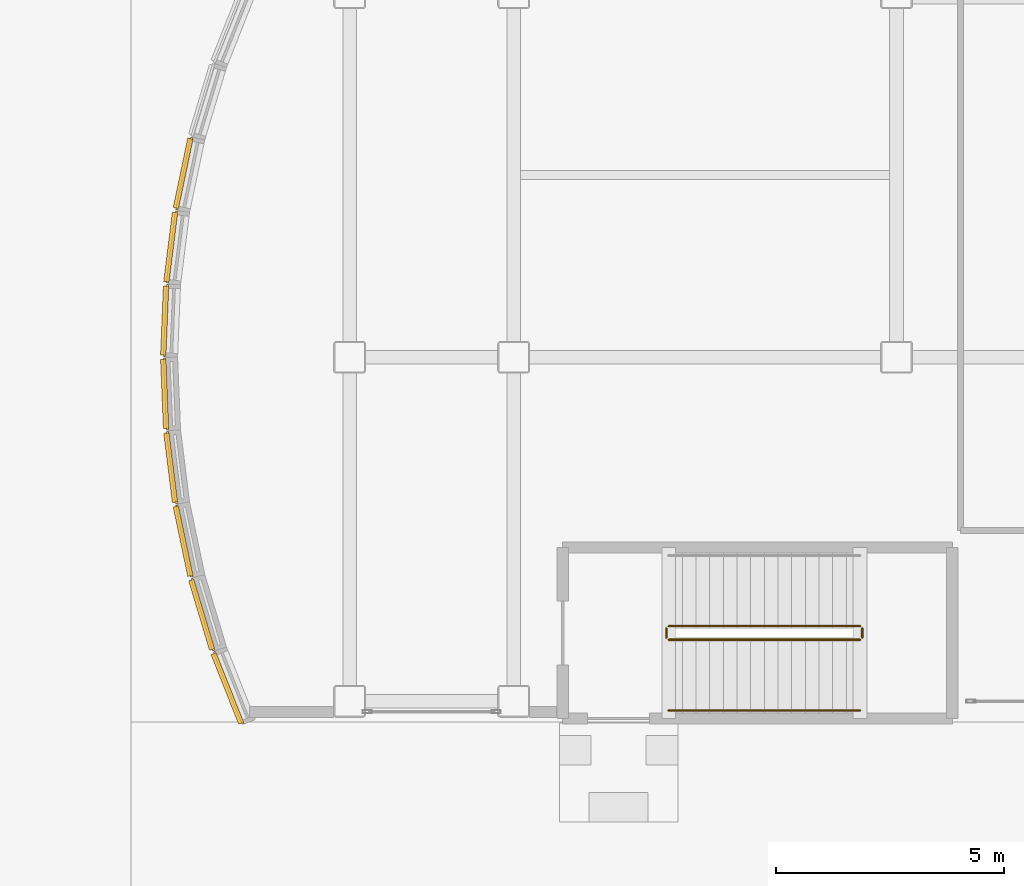
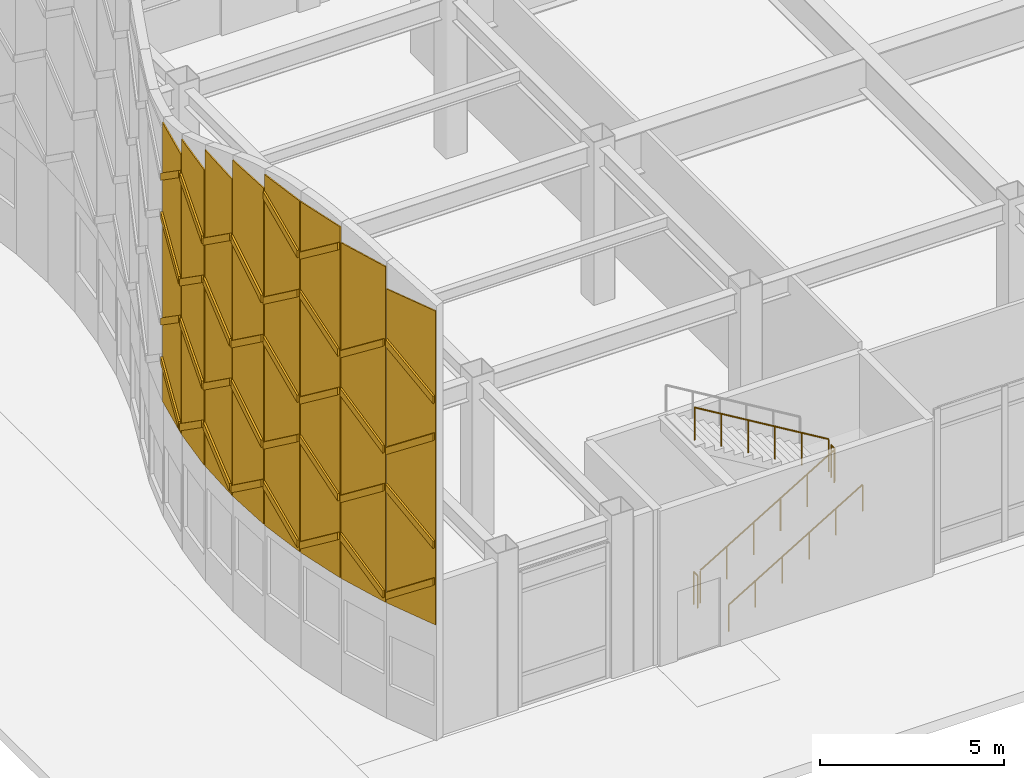
# One storey, part 140 of 165: 42 coverings, 5 railings.
"""IFC4 building model written with IfcOpenShell, lengths in metres."""

from ifc_helpers import new_model, si_unit, direction, frame, origin, origin_2d, place, context, subcontext, project, spatial, polyline, rectangle, circle, outline, extrude, material, layer, layer_set, type_object, element, save


model = new_model("IFC4")

# Units and contexts
model_context = context("Model", 3, precision=1e-05, world=origin(), true_north=direction((0.0, 1.0)))
body_context = subcontext(model_context, "Body", "Model", "MODEL_VIEW")
ifc_project = project(units=[si_unit("LENGTHUNIT", "METRE"), si_unit("AREAUNIT", "SQUARE_METRE"), si_unit("VOLUMEUNIT", "CUBIC_METRE"), si_unit("PLANEANGLEUNIT", "RADIAN"), si_unit("MASSUNIT", "GRAM", prefix="KILO")], contexts=[model_context])

# Site, building, storey
site_placement = place(None, origin())
site = spatial("IfcSite", under=ifc_project, at=site_placement, CompositionType="ELEMENT")
building_placement = place(site_placement, origin())
building = spatial("IfcBuilding", under=site, at=building_placement, Name="Kazehara Bluff Congress Hotel", CompositionType="ELEMENT")
storey_placement = place(building_placement, origin())
storey = spatial("IfcBuildingStorey", under=building, at=storey_placement, Name="L00", CompositionType="ELEMENT", Elevation=0.0)

# Coverings
ifc_material_1 = material(Name="Basalt stone-grey chevron ceramic tile", Category="masonry")
ifc_layer_1 = layer(ifc_material_1, 0.1201171875)
ifc_layer_set_1 = layer_set([ifc_layer_1], Name="Basalt stone-grey chevron ceramic tile")
covering_type_1 = type_object("IfcCoveringType", Name="TP-CHV-RIB", PredefinedType="CLADDING", material=ifc_layer_set_1)
covering_1_placement = place(storey_placement, frame((2.43505859375, -0.06494140625, 4.0), z_axis=(0.0, 0.0, 1.0), x_axis=(-0.368919432736, 0.929461377439, 0.0)))
element("IfcCovering", 1, at=covering_1_placement, inside=storey, type_object=covering_type_1, Name="Chevron stone-grey tile rib WR-V2-01-1", PredefinedType="CLADDING", context=body_context, shape_type="SweptSolid", body=[
    extrude(outline(polyline([(0.0400390625, 1.179931640625), (1.679931640625, 0.0), (1.679931640625, 0.239990234375), (0.0400390625, 1.419921875), (0.0400390625, 1.179931640625)])), frame((0.0, 0.06005859375, 0.0), z_axis=(0.0, -1.0, 0.0), x_axis=(1.0, 0.0, 0.0)), (0.0, 0.0, 1.0), 0.1201171875),
])
covering_2_placement = place(storey_placement, frame((2.43505859375, -0.06494140625, 6.39990234375), z_axis=(0.0, 0.0, 1.0), x_axis=(-0.368919432736, 0.929461377439, 0.0)))
element("IfcCovering", 2, at=covering_2_placement, inside=storey, type_object=covering_type_1, Name="Chevron stone-grey tile rib WR-V2-01-2", PredefinedType="CLADDING", context=body_context, shape_type="SweptSolid", body=[
    extrude(outline(polyline([(0.0400390625, 0.0), (1.679931640625, 1.18017578125), (1.679931640625, 1.420166015625), (0.0400390625, 0.239990234375), (0.0400390625, 0.0)])), frame((0.0, 0.06005859375, 0.0), z_axis=(0.0, -1.0, 0.0), x_axis=(1.0, 0.0, 0.0)), (0.0, 0.0, 1.0), 0.1201171875),
])
covering_3_placement = place(storey_placement, frame((2.43505859375, -0.06494140625, 8.800048828125), z_axis=(0.0, 0.0, 1.0), x_axis=(-0.368919432736, 0.929461377439, 0.0)))
element("IfcCovering", 3, at=covering_3_placement, inside=storey, type_object=covering_type_1, Name="Chevron stone-grey tile rib WR-V2-01-3", PredefinedType="CLADDING", context=body_context, shape_type="SweptSolid", body=[
    extrude(outline(polyline([(0.0400390625, 1.179931640625), (1.679931640625, 0.0), (1.679931640625, 0.239990234375), (0.0400390625, 1.419921875), (0.0400390625, 1.179931640625)])), frame((0.0, 0.06005859375, 0.0), z_axis=(0.0, -1.0, 0.0), x_axis=(1.0, 0.0, 0.0)), (0.0, 0.0, 1.0), 0.1201171875),
])
covering_4_placement = place(storey_placement, frame((2.43505859375, -0.06494140625, 11.199951171875), z_axis=(0.0, 0.0, 1.0), x_axis=(-0.368919432736, 0.929461377439, 0.0)))
element("IfcCovering", 4, at=covering_4_placement, inside=storey, type_object=covering_type_1, Name="Chevron stone-grey tile rib WR-V2-01-4", PredefinedType="CLADDING", context=body_context, shape_type="SweptSolid", body=[
    extrude(outline(polyline([(0.0400390625, 0.0), (1.679931640625, 1.179931640625), (1.679931640625, 1.420166015625), (0.0400390625, 0.239990234375), (0.0400390625, 0.0)])), frame((0.0, 0.06005859375, 0.0), z_axis=(0.0, -1.0, 0.0), x_axis=(1.0, 0.0, 0.0)), (0.0, 0.0, 1.0), 0.1201171875),
])
covering_5_placement = place(storey_placement, frame((1.794921875, 1.550048828125, 4.0), z_axis=(0.0, 0.0, 1.0), x_axis=(-0.287361295213, 0.957822262225, 0.0)))
element("IfcCovering", 5, at=covering_5_placement, inside=storey, type_object=covering_type_1, Name="Chevron stone-grey tile rib WR-V2-02-1", PredefinedType="CLADDING", context=body_context, shape_type="SweptSolid", body=[
    extrude(outline(polyline([(0.0400390625, 0.0), (1.6298828125, 1.14501953125), (1.6298828125, 1.385009765625), (0.0400390625, 0.239990234375), (0.0400390625, 0.0)])), frame((0.0, 0.06005859375, 0.0), z_axis=(0.0, -1.0, 0.0), x_axis=(1.0, 0.0, 0.0)), (0.0, 0.0, 1.0), 0.1201171875),
])
covering_6_placement = place(storey_placement, frame((1.794921875, 1.550048828125, 6.39990234375), z_axis=(0.0, 0.0, 1.0), x_axis=(-0.287361295213, 0.957822262225, 0.0)))
element("IfcCovering", 6, at=covering_6_placement, inside=storey, type_object=covering_type_1, Name="Chevron stone-grey tile rib WR-V2-02-2", PredefinedType="CLADDING", context=body_context, shape_type="SweptSolid", body=[
    extrude(outline(polyline([(0.0400390625, 1.14501953125), (1.6298828125, 0.0), (1.6298828125, 0.239990234375), (0.0400390625, 1.385009765625), (0.0400390625, 1.14501953125)])), frame((0.0, 0.06005859375, 0.0), z_axis=(0.0, -1.0, 0.0), x_axis=(1.0, 0.0, 0.0)), (0.0, 0.0, 1.0), 0.1201171875),
])
covering_7_placement = place(storey_placement, frame((1.794921875, 1.550048828125, 8.800048828125), z_axis=(0.0, 0.0, 1.0), x_axis=(-0.287361295213, 0.957822262225, 0.0)))
element("IfcCovering", 7, at=covering_7_placement, inside=storey, type_object=covering_type_1, Name="Chevron stone-grey tile rib WR-V2-02-3", PredefinedType="CLADDING", context=body_context, shape_type="SweptSolid", body=[
    extrude(outline(polyline([(0.0400390625, 0.0), (1.6298828125, 1.14501953125), (1.6298828125, 1.385009765625), (0.0400390625, 0.239990234375), (0.0400390625, 0.0)])), frame((0.0, 0.06005859375, 0.0), z_axis=(0.0, -1.0, 0.0), x_axis=(1.0, 0.0, 0.0)), (0.0, 0.0, 1.0), 0.1201171875),
])
covering_8_placement = place(storey_placement, frame((1.794921875, 1.550048828125, 11.199951171875), z_axis=(0.0, 0.0, 1.0), x_axis=(-0.287361295213, 0.957822262225, 0.0)))
element("IfcCovering", 8, at=covering_8_placement, inside=storey, type_object=covering_type_1, Name="Chevron stone-grey tile rib WR-V2-02-4", PredefinedType="CLADDING", context=body_context, shape_type="SweptSolid", body=[
    extrude(outline(polyline([(0.0400390625, 1.14501953125), (1.6298828125, 0.0), (1.6298828125, 0.239990234375), (0.0400390625, 1.385009765625), (0.0400390625, 1.14501953125)])), frame((0.0, 0.06005859375, 0.0), z_axis=(0.0, -1.0, 0.0), x_axis=(1.0, 0.0, 0.0)), (0.0, 0.0, 1.0), 0.1201171875),
])
covering_9_placement = place(storey_placement, frame((1.31494140625, 3.1650390625, 4.0), z_axis=(0.0, 0.0, 1.0), x_axis=(-0.204926381559, 0.978777389472, 0.0)))
element("IfcCovering", 9, at=covering_9_placement, inside=storey, type_object=covering_type_1, Name="Chevron stone-grey tile rib WR-V2-03-1", PredefinedType="CLADDING", context=body_context, shape_type="SweptSolid", body=[
    extrude(outline(polyline([(0.0400390625, 1.1201171875), (1.594970703125, 0.0), (1.594970703125, 0.239990234375), (0.0400390625, 1.360107421875), (0.0400390625, 1.1201171875)])), frame((0.0, 0.06005859375, 0.0), z_axis=(0.0, -1.0, 0.0), x_axis=(1.0, 0.0, 0.0)), (0.0, 0.0, 1.0), 0.1201171875),
])
covering_10_placement = place(storey_placement, frame((1.31494140625, 3.1650390625, 6.39990234375), z_axis=(0.0, 0.0, 1.0), x_axis=(-0.204926381559, 0.978777389472, 0.0)))
element("IfcCovering", 10, at=covering_10_placement, inside=storey, type_object=covering_type_1, Name="Chevron stone-grey tile rib WR-V2-03-2", PredefinedType="CLADDING", context=body_context, shape_type="SweptSolid", body=[
    extrude(outline(polyline([(0.0400390625, 0.0), (1.594970703125, 1.1201171875), (1.594970703125, 1.360107421875), (0.0400390625, 0.239990234375), (0.0400390625, 0.0)])), frame((0.0, 0.06005859375, 0.0), z_axis=(0.0, -1.0, 0.0), x_axis=(1.0, 0.0, 0.0)), (0.0, 0.0, 1.0), 0.1201171875),
])
covering_11_placement = place(storey_placement, frame((1.31494140625, 3.1650390625, 8.800048828125), z_axis=(0.0, 0.0, 1.0), x_axis=(-0.204926381559, 0.978777389472, 0.0)))
element("IfcCovering", 11, at=covering_11_placement, inside=storey, type_object=covering_type_1, Name="Chevron stone-grey tile rib WR-V2-03-3", PredefinedType="CLADDING", context=body_context, shape_type="SweptSolid", body=[
    extrude(outline(polyline([(0.0400390625, 1.119873046875), (1.594970703125, 0.0), (1.594970703125, 0.239990234375), (0.0400390625, 1.35986328125), (0.0400390625, 1.119873046875)])), frame((0.0, 0.06005859375, 0.0), z_axis=(0.0, -1.0, 0.0), x_axis=(1.0, 0.0, 0.0)), (0.0, 0.0, 1.0), 0.1201171875),
])
covering_12_placement = place(storey_placement, frame((1.31494140625, 3.1650390625, 11.199951171875), z_axis=(0.0, 0.0, 1.0), x_axis=(-0.204926381559, 0.978777389472, 0.0)))
element("IfcCovering", 12, at=covering_12_placement, inside=storey, type_object=covering_type_1, Name="Chevron stone-grey tile rib WR-V2-03-4", PredefinedType="CLADDING", context=body_context, shape_type="SweptSolid", body=[
    extrude(outline(polyline([(0.0400390625, 0.0), (1.594970703125, 1.1201171875), (1.594970703125, 1.360107421875), (0.0400390625, 0.239990234375), (0.0400390625, 0.0)])), frame((0.0, 0.06005859375, 0.0), z_axis=(0.0, -1.0, 0.0), x_axis=(1.0, 0.0, 0.0)), (0.0, 0.0, 1.0), 0.1201171875),
])
covering_13_placement = place(storey_placement, frame((1.31494140625, 3.1650390625, 13.60009765625), z_axis=(0.0, 0.0, 1.0), x_axis=(-0.204926381559, 0.978777389472, 0.0)))
element("IfcCovering", 13, at=covering_13_placement, inside=storey, type_object=covering_type_1, Name="Chevron stone-grey tile rib WR-V2-03-5", PredefinedType="CLADDING", context=body_context, shape_type="SweptSolid", body=[
    extrude(outline(polyline([(0.0400390625, 1.119873046875), (1.594970703125, 0.0), (1.594970703125, 0.239990234375), (0.0400390625, 1.35986328125), (0.0400390625, 1.119873046875)])), frame((0.0, 0.06005859375, 0.0), z_axis=(0.0, -1.0, 0.0), x_axis=(1.0, 0.0, 0.0)), (0.0, 0.0, 1.0), 0.1201171875),
])
covering_14_placement = place(storey_placement, frame((0.97509765625, 4.780029296875, 4.0), z_axis=(0.0, 0.0, 1.0), x_axis=(-0.1241651885, 0.992261561265, 0.0)))
element("IfcCovering", 14, at=covering_14_placement, inside=storey, type_object=covering_type_1, Name="Chevron stone-grey tile rib WR-V2-04-1", PredefinedType="CLADDING", context=body_context, shape_type="SweptSolid", body=[
    extrude(outline(polyline([(0.0400390625, 0.0), (1.570068359375, 1.10009765625), (1.570068359375, 1.340087890625), (0.0400390625, 0.239990234375), (0.0400390625, 0.0)])), frame((0.0, 0.06005859375, 0.0), z_axis=(0.0, -1.0, 0.0), x_axis=(1.0, 0.0, 0.0)), (0.0, 0.0, 1.0), 0.1201171875),
])
covering_15_placement = place(storey_placement, frame((0.97509765625, 4.780029296875, 6.39990234375), z_axis=(0.0, 0.0, 1.0), x_axis=(-0.1241651885, 0.992261561265, 0.0)))
element("IfcCovering", 15, at=covering_15_placement, inside=storey, type_object=covering_type_1, Name="Chevron stone-grey tile rib WR-V2-04-2", PredefinedType="CLADDING", context=body_context, shape_type="SweptSolid", body=[
    extrude(outline(polyline([(0.0400390625, 1.10009765625), (1.570068359375, 0.0), (1.570068359375, 0.239990234375), (0.0400390625, 1.340087890625), (0.0400390625, 1.10009765625)])), frame((0.0, 0.06005859375, 0.0), z_axis=(0.0, -1.0, 0.0), x_axis=(1.0, 0.0, 0.0)), (0.0, 0.0, 1.0), 0.1201171875),
])
covering_16_placement = place(storey_placement, frame((0.97509765625, 4.780029296875, 8.800048828125), z_axis=(0.0, 0.0, 1.0), x_axis=(-0.1241651885, 0.992261561265, 0.0)))
element("IfcCovering", 16, at=covering_16_placement, inside=storey, type_object=covering_type_1, Name="Chevron stone-grey tile rib WR-V2-04-3", PredefinedType="CLADDING", context=body_context, shape_type="SweptSolid", body=[
    extrude(outline(polyline([(0.0400390625, 0.0), (1.570068359375, 1.099853515625), (1.570068359375, 1.33984375), (0.0400390625, 0.239990234375), (0.0400390625, 0.0)])), frame((0.0, 0.06005859375, 0.0), z_axis=(0.0, -1.0, 0.0), x_axis=(1.0, 0.0, 0.0)), (0.0, 0.0, 1.0), 0.1201171875),
])
covering_17_placement = place(storey_placement, frame((0.97509765625, 4.780029296875, 11.199951171875), z_axis=(0.0, 0.0, 1.0), x_axis=(-0.1241651885, 0.992261561265, 0.0)))
element("IfcCovering", 17, at=covering_17_placement, inside=storey, type_object=covering_type_1, Name="Chevron stone-grey tile rib WR-V2-04-4", PredefinedType="CLADDING", context=body_context, shape_type="SweptSolid", body=[
    extrude(outline(polyline([(0.0400390625, 1.10009765625), (1.570068359375, 0.0), (1.570068359375, 0.239990234375), (0.0400390625, 1.340087890625), (0.0400390625, 1.10009765625)])), frame((0.0, 0.06005859375, 0.0), z_axis=(0.0, -1.0, 0.0), x_axis=(1.0, 0.0, 0.0)), (0.0, 0.0, 1.0), 0.1201171875),
])
covering_18_placement = place(storey_placement, frame((0.97509765625, 4.780029296875, 13.60009765625), z_axis=(0.0, 0.0, 1.0), x_axis=(-0.1241651885, 0.992261561265, 0.0)))
element("IfcCovering", 18, at=covering_18_placement, inside=storey, type_object=covering_type_1, Name="Chevron stone-grey tile rib WR-V2-04-5", PredefinedType="CLADDING", context=body_context, shape_type="SweptSolid", body=[
    extrude(outline(polyline([(0.0400390625, 0.0), (1.570068359375, 1.099853515625), (1.570068359375, 1.33984375), (0.0400390625, 0.239990234375), (0.0400390625, 0.0)])), frame((0.0, 0.06005859375, 0.0), z_axis=(0.0, -1.0, 0.0), x_axis=(1.0, 0.0, 0.0)), (0.0, 0.0, 1.0), 0.1201171875),
])
covering_19_placement = place(storey_placement, frame((0.77490234375, 6.39501953125, 4.0), z_axis=(0.0, 0.0, 1.0), x_axis=(-0.040552516117, 0.99917740839, 0.0)))
element("IfcCovering", 19, at=covering_19_placement, inside=storey, type_object=covering_type_1, Name="Chevron stone-grey tile rib WR-V2-05-1", PredefinedType="CLADDING", context=body_context, shape_type="SweptSolid", body=[
    extrude(outline(polyline([(0.0400390625, 1.094970703125), (1.56005859375, 0.0), (1.56005859375, 0.239990234375), (0.0400390625, 1.3349609375), (0.0400390625, 1.094970703125)])), frame((0.0, 0.06005859375, 0.0), z_axis=(0.0, -1.0, 0.0), x_axis=(1.0, 0.0, 0.0)), (0.0, 0.0, 1.0), 0.1201171875),
])
covering_20_placement = place(storey_placement, frame((0.77490234375, 6.39501953125, 6.39990234375), z_axis=(0.0, 0.0, 1.0), x_axis=(-0.040552516117, 0.99917740839, 0.0)))
element("IfcCovering", 20, at=covering_20_placement, inside=storey, type_object=covering_type_1, Name="Chevron stone-grey tile rib WR-V2-05-2", PredefinedType="CLADDING", context=body_context, shape_type="SweptSolid", body=[
    extrude(outline(polyline([(0.0400390625, 0.0), (1.56005859375, 1.09521484375), (1.56005859375, 1.335205078125), (0.0400390625, 0.239990234375), (0.0400390625, 0.0)])), frame((0.0, 0.06005859375, 0.0), z_axis=(0.0, -1.0, 0.0), x_axis=(1.0, 0.0, 0.0)), (0.0, 0.0, 1.0), 0.1201171875),
])
covering_21_placement = place(storey_placement, frame((0.77490234375, 6.39501953125, 8.800048828125), z_axis=(0.0, 0.0, 1.0), x_axis=(-0.040552516117, 0.99917740839, 0.0)))
element("IfcCovering", 21, at=covering_21_placement, inside=storey, type_object=covering_type_1, Name="Chevron stone-grey tile rib WR-V2-05-3", PredefinedType="CLADDING", context=body_context, shape_type="SweptSolid", body=[
    extrude(outline(polyline([(0.0400390625, 1.094970703125), (1.56005859375, 0.0), (1.56005859375, 0.239990234375), (0.0400390625, 1.3349609375), (0.0400390625, 1.094970703125)])), frame((0.0, 0.06005859375, 0.0), z_axis=(0.0, -1.0, 0.0), x_axis=(1.0, 0.0, 0.0)), (0.0, 0.0, 1.0), 0.1201171875),
])
for number, where, z_axis, x_axis, name in (
    (22, (0.77490234375, 6.39501953125, 11.199951171875), (0.0, 0.0, 1.0), (-0.040552516117, 0.99917740839, 0.0), "Chevron stone-grey tile rib WR-V2-05-4"),
    (23, (0.7099609375, 8.0048828125, 4.0), (0.0, 0.0, 1.0), (0.040552516117, 0.99917740839, 0.0), "Chevron stone-grey tile rib WR-V2-06-1"),
):
    element("IfcCovering", number, at=place(storey_placement, frame(where, z_axis=z_axis, x_axis=x_axis)), inside=storey, type_object=covering_type_1, Name=name, PredefinedType="CLADDING", context=body_context, shape_type="SweptSolid", body=[
        extrude(outline(polyline([(0.0400390625, 0.0), (1.56005859375, 1.094970703125), (1.56005859375, 1.3349609375), (0.0400390625, 0.239990234375), (0.0400390625, 0.0)])), frame((0.0, 0.06005859375, 0.0), z_axis=(0.0, -1.0, 0.0), x_axis=(1.0, 0.0, 0.0)), (0.0, 0.0, 1.0), 0.1201171875),
    ])
covering_22_placement = place(storey_placement, frame((0.7099609375, 8.0048828125, 6.39990234375), z_axis=(0.0, 0.0, 1.0), x_axis=(0.040552516117, 0.99917740839, 0.0)))
element("IfcCovering", 24, at=covering_22_placement, inside=storey, type_object=covering_type_1, Name="Chevron stone-grey tile rib WR-V2-06-2", PredefinedType="CLADDING", context=body_context, shape_type="SweptSolid", body=[
    extrude(outline(polyline([(0.0400390625, 1.09521484375), (1.56005859375, 0.0), (1.56005859375, 0.239990234375), (0.0400390625, 1.335205078125), (0.0400390625, 1.09521484375)])), frame((0.0, 0.06005859375, 0.0), z_axis=(0.0, -1.0, 0.0), x_axis=(1.0, 0.0, 0.0)), (0.0, 0.0, 1.0), 0.1201171875),
])
covering_23_placement = place(storey_placement, frame((0.7099609375, 8.0048828125, 8.800048828125), z_axis=(0.0, 0.0, 1.0), x_axis=(0.040552516117, 0.99917740839, 0.0)))
element("IfcCovering", 25, at=covering_23_placement, inside=storey, type_object=covering_type_1, Name="Chevron stone-grey tile rib WR-V2-06-3", PredefinedType="CLADDING", context=body_context, shape_type="SweptSolid", body=[
    extrude(outline(polyline([(0.0400390625, 0.0), (1.56005859375, 1.094970703125), (1.56005859375, 1.3349609375), (0.0400390625, 0.239990234375), (0.0400390625, 0.0)])), frame((0.0, 0.06005859375, 0.0), z_axis=(0.0, -1.0, 0.0), x_axis=(1.0, 0.0, 0.0)), (0.0, 0.0, 1.0), 0.1201171875),
])
covering_24_placement = place(storey_placement, frame((0.7099609375, 8.0048828125, 11.199951171875), z_axis=(0.0, 0.0, 1.0), x_axis=(0.040552516117, 0.99917740839, 0.0)))
element("IfcCovering", 26, at=covering_24_placement, inside=storey, type_object=covering_type_1, Name="Chevron stone-grey tile rib WR-V2-06-4", PredefinedType="CLADDING", context=body_context, shape_type="SweptSolid", body=[
    extrude(outline(polyline([(0.0400390625, 1.094970703125), (1.56005859375, 0.0), (1.56005859375, 0.239990234375), (0.0400390625, 1.3349609375), (0.0400390625, 1.094970703125)])), frame((0.0, 0.06005859375, 0.0), z_axis=(0.0, -1.0, 0.0), x_axis=(1.0, 0.0, 0.0)), (0.0, 0.0, 1.0), 0.1201171875),
])
covering_25_placement = place(storey_placement, frame((0.77490234375, 9.6201171875, 4.0), z_axis=(0.0, 0.0, 1.0), x_axis=(0.1241651885, 0.992261561265, 0.0)))
element("IfcCovering", 27, at=covering_25_placement, inside=storey, type_object=covering_type_1, Name="Chevron stone-grey tile rib WR-V2-07-1", PredefinedType="CLADDING", context=body_context, shape_type="SweptSolid", body=[
    extrude(outline(polyline([(0.0400390625, 1.10009765625), (1.570068359375, 0.0), (1.570068359375, 0.239990234375), (0.0400390625, 1.340087890625), (0.0400390625, 1.10009765625)])), frame((0.0, 0.06005859375, 0.0), z_axis=(0.0, -1.0, 0.0), x_axis=(1.0, 0.0, 0.0)), (0.0, 0.0, 1.0), 0.1201171875),
])
covering_26_placement = place(storey_placement, frame((0.77490234375, 9.6201171875, 6.39990234375), z_axis=(0.0, 0.0, 1.0), x_axis=(0.1241651885, 0.992261561265, 0.0)))
element("IfcCovering", 28, at=covering_26_placement, inside=storey, type_object=covering_type_1, Name="Chevron stone-grey tile rib WR-V2-07-2", PredefinedType="CLADDING", context=body_context, shape_type="SweptSolid", body=[
    extrude(outline(polyline([(0.0400390625, 0.0), (1.570068359375, 1.10009765625), (1.570068359375, 1.340087890625), (0.0400390625, 0.239990234375), (0.0400390625, 0.0)])), frame((0.0, 0.06005859375, 0.0), z_axis=(0.0, -1.0, 0.0), x_axis=(1.0, 0.0, 0.0)), (0.0, 0.0, 1.0), 0.1201171875),
])
covering_27_placement = place(storey_placement, frame((0.77490234375, 9.6201171875, 8.800048828125), z_axis=(0.0, 0.0, 1.0), x_axis=(0.1241651885, 0.992261561265, 0.0)))
element("IfcCovering", 29, at=covering_27_placement, inside=storey, type_object=covering_type_1, Name="Chevron stone-grey tile rib WR-V2-07-3", PredefinedType="CLADDING", context=body_context, shape_type="SweptSolid", body=[
    extrude(outline(polyline([(0.0400390625, 1.099853515625), (1.570068359375, 0.0), (1.570068359375, 0.239990234375), (0.0400390625, 1.33984375), (0.0400390625, 1.099853515625)])), frame((0.0, 0.06005859375, 0.0), z_axis=(0.0, -1.0, 0.0), x_axis=(1.0, 0.0, 0.0)), (0.0, 0.0, 1.0), 0.1201171875),
])
covering_28_placement = place(storey_placement, frame((0.77490234375, 9.6201171875, 11.199951171875), z_axis=(0.0, 0.0, 1.0), x_axis=(0.1241651885, 0.992261561265, 0.0)))
element("IfcCovering", 30, at=covering_28_placement, inside=storey, type_object=covering_type_1, Name="Chevron stone-grey tile rib WR-V2-07-4", PredefinedType="CLADDING", context=body_context, shape_type="SweptSolid", body=[
    extrude(outline(polyline([(0.0400390625, 0.0), (1.570068359375, 1.10009765625), (1.570068359375, 1.340087890625), (0.0400390625, 0.239990234375), (0.0400390625, 0.0)])), frame((0.0, 0.06005859375, 0.0), z_axis=(0.0, -1.0, 0.0), x_axis=(1.0, 0.0, 0.0)), (0.0, 0.0, 1.0), 0.1201171875),
])
covering_29_placement = place(storey_placement, frame((0.97998046875, 11.235107421875, 4.0), z_axis=(0.0, 0.0, 1.0), x_axis=(0.204926381559, 0.978777389472, 0.0)))
element("IfcCovering", 31, at=covering_29_placement, inside=storey, type_object=covering_type_1, Name="Chevron stone-grey tile rib WR-V2-08-1", PredefinedType="CLADDING", context=body_context, shape_type="SweptSolid", body=[
    extrude(outline(polyline([(0.0400390625, 0.0), (1.594970703125, 1.1201171875), (1.594970703125, 1.360107421875), (0.0400390625, 0.239990234375), (0.0400390625, 0.0)])), frame((0.0, 0.06005859375, 0.0), z_axis=(0.0, -1.0, 0.0), x_axis=(1.0, 0.0, 0.0)), (0.0, 0.0, 1.0), 0.1201171875),
])
covering_30_placement = place(storey_placement, frame((0.97998046875, 11.235107421875, 6.39990234375), z_axis=(0.0, 0.0, 1.0), x_axis=(0.204926381559, 0.978777389472, 0.0)))
element("IfcCovering", 32, at=covering_30_placement, inside=storey, type_object=covering_type_1, Name="Chevron stone-grey tile rib WR-V2-08-2", PredefinedType="CLADDING", context=body_context, shape_type="SweptSolid", body=[
    extrude(outline(polyline([(0.0400390625, 1.1201171875), (1.594970703125, 0.0), (1.594970703125, 0.239990234375), (0.0400390625, 1.360107421875), (0.0400390625, 1.1201171875)])), frame((0.0, 0.06005859375, 0.0), z_axis=(0.0, -1.0, 0.0), x_axis=(1.0, 0.0, 0.0)), (0.0, 0.0, 1.0), 0.1201171875),
])
covering_31_placement = place(storey_placement, frame((0.97998046875, 11.235107421875, 8.800048828125), z_axis=(0.0, 0.0, 1.0), x_axis=(0.204926381559, 0.978777389472, 0.0)))
element("IfcCovering", 33, at=covering_31_placement, inside=storey, type_object=covering_type_1, Name="Chevron stone-grey tile rib WR-V2-08-3", PredefinedType="CLADDING", context=body_context, shape_type="SweptSolid", body=[
    extrude(outline(polyline([(0.0400390625, 0.0), (1.594970703125, 1.119873046875), (1.594970703125, 1.35986328125), (0.0400390625, 0.239990234375), (0.0400390625, 0.0)])), frame((0.0, 0.06005859375, 0.0), z_axis=(0.0, -1.0, 0.0), x_axis=(1.0, 0.0, 0.0)), (0.0, 0.0, 1.0), 0.1201171875),
])
covering_32_placement = place(storey_placement, frame((0.97998046875, 11.235107421875, 11.199951171875), z_axis=(0.0, 0.0, 1.0), x_axis=(0.204926381559, 0.978777389472, 0.0)))
element("IfcCovering", 34, at=covering_32_placement, inside=storey, type_object=covering_type_1, Name="Chevron stone-grey tile rib WR-V2-08-4", PredefinedType="CLADDING", context=body_context, shape_type="SweptSolid", body=[
    extrude(outline(polyline([(0.0400390625, 1.1201171875), (1.594970703125, 0.0), (1.594970703125, 0.239990234375), (0.0400390625, 1.360107421875), (0.0400390625, 1.1201171875)])), frame((0.0, 0.06005859375, 0.0), z_axis=(0.0, -1.0, 0.0), x_axis=(1.0, 0.0, 0.0)), (0.0, 0.0, 1.0), 0.1201171875),
])
ifc_material_2 = material(Name="Stone-grey ceramic rainscreen", Category="masonry")
ifc_layer_2 = layer(ifc_material_2, 0.044921875)
ifc_layer_set_2 = layer_set([ifc_layer_2], Name="Stone-grey ceramic rainscreen")
covering_type_2 = type_object("IfcCoveringType", Name="TP-CLD-01", PredefinedType="CLADDING", material=ifc_layer_set_2)
covering_33_placement = place(storey_placement, frame((2.14501953125, 0.7451171875, 3.85009765625), z_axis=(0.0, 0.0, 1.0), x_axis=(-0.368885506571, 0.929474842608, 0.0)))
element("IfcCovering", 35, at=covering_33_placement, inside=storey, type_object=covering_type_2, Name="Chevron stone-grey ceramic cladding WR-V2-01", PredefinedType="CLADDING", context=body_context, shape_type="SweptSolid", body=[
    extrude(rectangle(XDim=1.699951171875, YDim=0.044921875, at=origin_2d()), origin(), (0.0, 0.0, 1.0), 10.39990234375),
])
covering_34_placement = place(storey_placement, frame((1.580078125, 2.35498046875, 3.849853515625), z_axis=(0.0, 0.0, 1.0), x_axis=(-0.287347146097, 0.957826507062, 0.0)))
element("IfcCovering", 36, at=covering_34_placement, inside=storey, type_object=covering_type_2, Name="Chevron stone-grey ceramic cladding WR-V2-02", PredefinedType="CLADDING", context=body_context, shape_type="SweptSolid", body=[
    extrude(rectangle(XDim=1.64990234375, YDim=0.044921875, at=origin_2d()), origin(), (0.0, 0.0, 1.0), 11.1201171875),
])
covering_35_placement = place(storey_placement, frame((1.169921875, 3.969970703125, 3.847412109375), z_axis=(0.0, 0.0, 1.0), x_axis=(-0.204931685276, 0.978776279019, 0.0)))
element("IfcCovering", 37, at=covering_35_placement, inside=storey, type_object=covering_type_2, Name="Chevron stone-grey ceramic cladding WR-V2-03", PredefinedType="CLADDING", context=body_context, shape_type="SweptSolid", body=[
    extrude(rectangle(XDim=1.614990234375, YDim=0.044921875, at=origin_2d()), origin(), (0.0, 0.0, 1.0), 11.625),
])
covering_36_placement = place(storey_placement, frame((0.89990234375, 5.580078125, 3.849853515625), z_axis=(0.0, 0.0, 1.0), x_axis=(-0.12403445145, 0.992277912106, 0.0)))
element("IfcCovering", 38, at=covering_36_placement, inside=storey, type_object=covering_type_2, Name="Chevron stone-grey ceramic cladding WR-V2-04", PredefinedType="CLADDING", context=body_context, shape_type="SweptSolid", body=[
    extrude(rectangle(XDim=1.590087890625, YDim=0.044921875, at=origin_2d()), origin(), (0.0, 0.0, 1.0), 11.6201171875),
])
covering_37_placement = place(storey_placement, frame((0.77001953125, 7.195068359375, 3.8525390625), z_axis=(0.0, 0.0, 1.0), x_axis=(-0.040592183983, 0.999175797645, 0.0)))
element("IfcCovering", 39, at=covering_37_placement, inside=storey, type_object=covering_type_2, Name="Chevron stone-grey ceramic cladding WR-V2-05", PredefinedType="CLADDING", context=body_context, shape_type="SweptSolid", body=[
    extrude(rectangle(XDim=1.580078125, YDim=0.044921875, at=origin_2d()), origin(), (0.0, 0.0, 1.0), 11.135009765625),
])
covering_38_placement = place(storey_placement, frame((0.77001953125, 8.804931640625, 3.8525390625), z_axis=(0.0, 0.0, 1.0), x_axis=(0.040592183983, 0.999175797645, 0.0)))
element("IfcCovering", 40, at=covering_38_placement, inside=storey, type_object=covering_type_2, Name="Chevron stone-grey ceramic cladding WR-V2-06", PredefinedType="CLADDING", context=body_context, shape_type="SweptSolid", body=[
    extrude(rectangle(XDim=1.580078125, YDim=0.044921875, at=origin_2d()), origin(), (0.0, 0.0, 1.0), 10.47509765625),
])
covering_39_placement = place(storey_placement, frame((0.89990234375, 10.419921875, 3.84765625), z_axis=(0.0, 0.0, 1.0), x_axis=(0.12403445145, 0.992277912106, 0.0)))
element("IfcCovering", 41, at=covering_39_placement, inside=storey, type_object=covering_type_2, Name="Chevron stone-grey ceramic cladding WR-V2-07", PredefinedType="CLADDING", context=body_context, shape_type="SweptSolid", body=[
    extrude(rectangle(XDim=1.590087890625, YDim=0.044921875, at=origin_2d()), origin(), (0.0, 0.0, 1.0), 9.784912109375),
])
covering_40_placement = place(storey_placement, frame((1.169921875, 12.030029296875, 3.847412109375), z_axis=(0.0, 0.0, 1.0), x_axis=(0.204931685276, 0.978776279019, 0.0)))
element("IfcCovering", 42, at=covering_40_placement, inside=storey, type_object=covering_type_2, Name="Chevron stone-grey ceramic cladding WR-V2-08", PredefinedType="CLADDING", context=body_context, shape_type="SweptSolid", body=[
    extrude(rectangle(XDim=1.614990234375, YDim=0.044921875, at=origin_2d()), origin(), (0.0, 0.0, 1.0), 9.2451171875),
])

# Railings
ifc_material_3 = material(Name="Brushed stainless steel", Category="steel")
railing_type_1 = type_object("IfcRailingType", Name="TP-GRD-INT", PredefinedType="GUARDRAIL", material=ifc_material_3)
railing_1_placement = place(storey_placement, frame((11.800048828125, 1.800048828125, 0.179931640625)))
element("IfcRailing", 43, at=railing_1_placement, inside=storey, type_object=railing_type_1, Name="L00 ST-04 stair guard 1", PredefinedType="GUARDRAIL", context=body_context, shape_type="SweptSolid", body=[
    extrude(circle(Radius=0.02392578125, at=origin_2d()), frame((0.0, 0.0, 1.076171875), z_axis=(0.857488527567, 0.0, 0.514503085598), x_axis=(0.0, 1.0, 0.0)), (0.0, 0.0, 1.0), 4.89794921875),
    extrude(circle(Radius=0.02099609375, at=origin_2d()), origin(), (0.0, 0.0, 1.0), 1.052001953125),
    extrude(circle(Radius=0.02099609375, at=origin_2d()), frame((0.840087890625, 0.0, 0.50390625)), (0.0, 0.0, 1.0), 1.052001953125),
    extrude(circle(Radius=0.02099609375, at=origin_2d()), frame((1.679931640625, 0.0, 1.008056640625)), (0.0, 0.0, 1.0), 1.052001953125),
    extrude(circle(Radius=0.02099609375, at=origin_2d()), frame((2.52001953125, 0.0, 1.511962890625)), (0.0, 0.0, 1.0), 1.052001953125),
    extrude(circle(Radius=0.02099609375, at=origin_2d()), frame((3.35986328125, 0.0, 2.01611328125)), (0.0, 0.0, 1.0), 1.052001953125),
    extrude(circle(Radius=0.02099609375, at=origin_2d()), frame((4.199951171875, 0.0, 2.52001953125)), (0.0, 0.0, 1.0), 1.052001953125),
])
railing_2_placement = place(storey_placement, frame((16.050048828125, 1.85009765625, 2.699951171875)))
element("IfcRailing", 44, at=railing_2_placement, inside=storey, type_object=railing_type_1, Name="L00 ST-04 stair guard 2", PredefinedType="GUARDRAIL", context=body_context, shape_type="SweptSolid", body=[
    extrude(circle(Radius=0.02392578125, at=origin_2d()), frame((0.0, 0.0, 1.076171875), z_axis=(0.0, 1.0, 0.0), x_axis=(-1.0, 0.0, 0.0)), (0.0, 0.0, 1.0), 0.199951171875),
    extrude(circle(Radius=0.02099609375, at=origin_2d()), origin(), (0.0, 0.0, 1.0), 1.052001953125),
    extrude(circle(Radius=0.02099609375, at=origin_2d()), frame((0.0, 0.199951171875, 0.0)), (0.0, 0.0, 1.0), 1.052001953125),
])
railing_3_placement = place(storey_placement, frame((16.0, 2.10009765625, 2.8798828125)))
element("IfcRailing", 45, at=railing_3_placement, inside=storey, type_object=railing_type_1, Name="L00 ST-04 stair guard 3", PredefinedType="GUARDRAIL", context=body_context, shape_type="SweptSolid", body=[
    extrude(circle(Radius=0.02392578125, at=origin_2d()), frame((0.0, 0.0, 1.076171875), z_axis=(-0.857488527567, 0.0, 0.514503085598), x_axis=(0.0, -1.0, 0.0)), (0.0, 0.0, 1.0), 4.89794921875),
    extrude(circle(Radius=0.02099609375, at=origin_2d()), origin(), (0.0, 0.0, 1.0), 1.052001953125),
    extrude(circle(Radius=0.02099609375, at=origin_2d()), frame((-0.840087890625, 0.0, 0.50390625)), (0.0, 0.0, 1.0), 1.052001953125),
    extrude(circle(Radius=0.02099609375, at=origin_2d()), frame((-1.679931640625, 0.0, 1.008056640625)), (0.0, 0.0, 1.0), 1.052001953125),
    extrude(circle(Radius=0.02099609375, at=origin_2d()), frame((-2.52001953125, 0.0, 1.511962890625)), (0.0, 0.0, 1.0), 1.052001953125),
    extrude(circle(Radius=0.02099609375, at=origin_2d()), frame((-3.35986328125, 0.0, 2.01611328125)), (0.0, 0.0, 1.0), 1.052001953125),
    extrude(circle(Radius=0.02099609375, at=origin_2d()), frame((-4.199951171875, 0.0, 2.52001953125)), (0.0, 0.0, 1.0), 1.052001953125),
])
railing_4_placement = place(storey_placement, frame((11.75, 1.85009765625, 0.0)))
element("IfcRailing", 46, at=railing_4_placement, inside=storey, type_object=railing_type_1, Name="L00 ST-04 stair guard 4", PredefinedType="GUARDRAIL", context=body_context, shape_type="SweptSolid", body=[
    extrude(circle(Radius=0.02392578125, at=origin_2d()), frame((0.0, 0.0, 1.076171875), z_axis=(0.0, 1.0, 0.0), x_axis=(-1.0, 0.0, 0.0)), (0.0, 0.0, 1.0), 0.199951171875),
    extrude(circle(Radius=0.02099609375, at=origin_2d()), origin(), (0.0, 0.0, 1.0), 1.052001953125),
    extrude(circle(Radius=0.02099609375, at=origin_2d()), frame((0.0, 0.199951171875, 0.0)), (0.0, 0.0, 1.0), 1.052001953125),
])
ifc_material_4 = material(Name="Brushed stainless steel", Category="steel")
railing_type_2 = type_object("IfcRailingType", Name="TP-HR-INT", PredefinedType="HANDRAIL", material=ifc_material_4)
railing_5_placement = place(storey_placement, frame((11.800048828125, 0.25, 0.179931640625)))
element("IfcRailing", 47, at=railing_5_placement, inside=storey, type_object=railing_type_2, Name="L00 ST-04 stair handrail 1", PredefinedType="HANDRAIL", context=body_context, shape_type="SweptSolid", body=[
    extrude(circle(Radius=0.02392578125, at=origin_2d()), frame((0.0, 0.0, 0.8759765625), z_axis=(0.857488527567, 0.0, 0.514503085598), x_axis=(0.0, 1.0, 0.0)), (0.0, 0.0, 1.0), 4.89794921875),
    extrude(circle(Radius=0.02099609375, at=origin_2d()), origin(), (0.0, 0.0, 1.0), 0.851806640625),
    extrude(circle(Radius=0.02099609375, at=origin_2d()), frame((0.840087890625, 0.0, 0.50390625)), (0.0, 0.0, 1.0), 0.851806640625),
    extrude(circle(Radius=0.02099609375, at=origin_2d()), frame((1.679931640625, 0.0, 1.008056640625)), (0.0, 0.0, 1.0), 0.851806640625),
    extrude(circle(Radius=0.02099609375, at=origin_2d()), frame((2.52001953125, 0.0, 1.511962890625)), (0.0, 0.0, 1.0), 0.851806640625),
    extrude(circle(Radius=0.02099609375, at=origin_2d()), frame((3.35986328125, 0.0, 2.01611328125)), (0.0, 0.0, 1.0), 0.851806640625),
    extrude(circle(Radius=0.02099609375, at=origin_2d()), frame((4.199951171875, 0.0, 2.52001953125)), (0.0, 0.0, 1.0), 0.851806640625),
])

save(model, "model.ifc")
